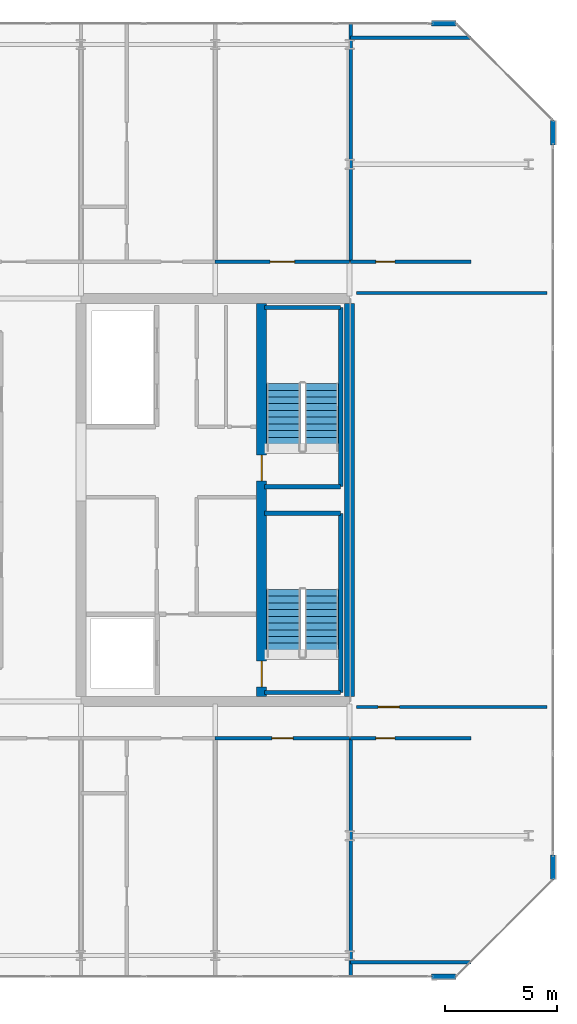
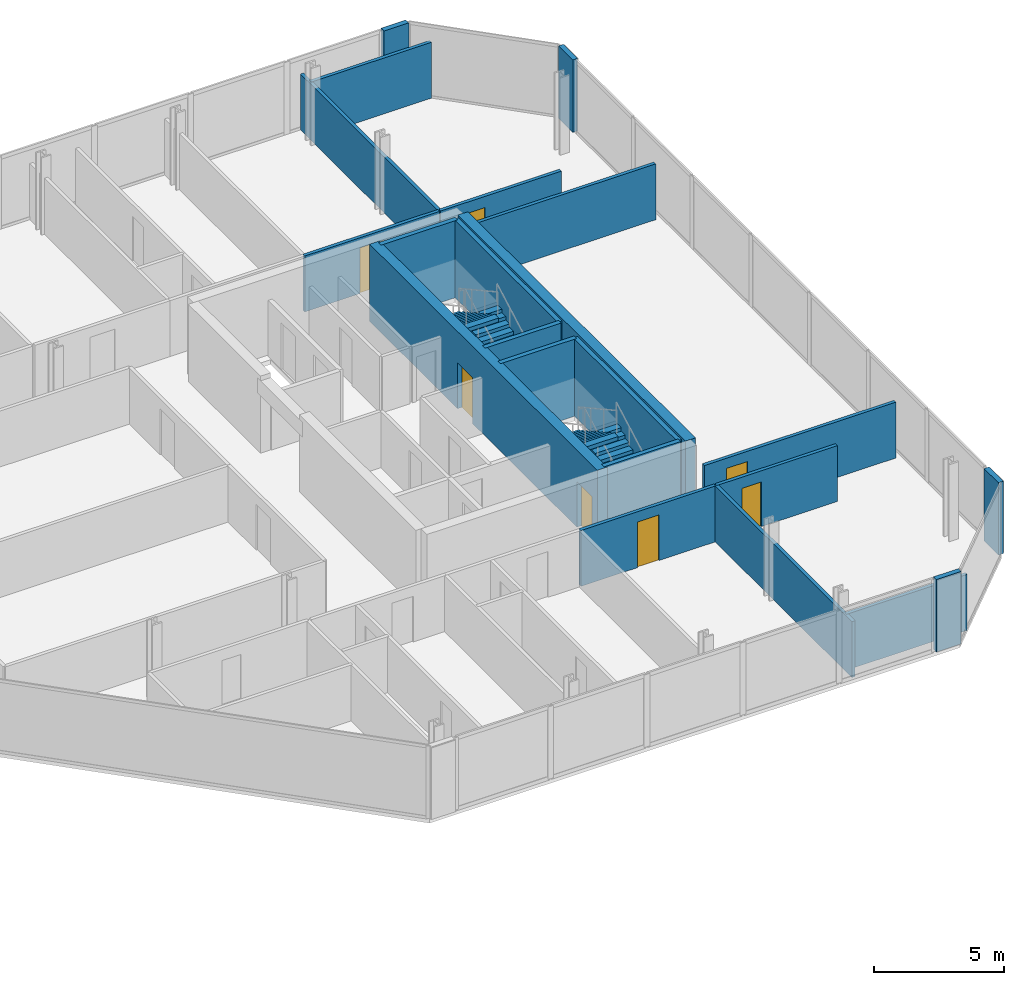
# One storey, part 17 of 19: 22 walls, 7 doors, 4 stair flights, 7 openings, 2 elements without a shape of their own.
"""IFC4 building model written with IfcOpenShell, lengths in metres."""

import ifcopenshell
import ifcopenshell.guid

model = None  # the IFC model being written
_history = None  # IfcOwnerHistory: only IFC2X3 demands one
_inside = {}  # id of a spatial element -> (the spatial element, [elements in it])
_under = {}  # id of a project, library or spatial element -> (it, [spatial elements below it])
_declared = {}  # id of a project -> (the project, [libraries it declares])
_typed = {}  # id of a type object -> (the type object, [elements of that type])
_made_of = {}  # id of a material, layer set ... -> (it, [elements and type objects made of it])


def new_model(schema):
    """Start an empty IFC model of exactly this schema.

    Asked for "IFC4X3", IfcOpenShell would pick the latest addendum, in which some entities
    have other attributes; the version numbers below select the first issue.
    IFC2X3 requires an IfcOwnerHistory on every rooted entity: one is made here for all.
    """
    global model, _history
    if schema == "IFC4X3":
        model = ifcopenshell.file(schema_version=(4, 3, 0, 0))
    else:
        model = ifcopenshell.file(schema=schema)
    _inside.clear()
    _under.clear()
    _declared.clear()
    _typed.clear()
    _made_of.clear()
    _history = None
    if model.schema == "IFC2X3":
        org = make("IfcOrganization", Name="unknown")
        user = make(
            "IfcPersonAndOrganization",
            ThePerson=make("IfcPerson", FamilyName="unknown"),
            TheOrganization=org,
        )
        app = make(
            "IfcApplication",
            ApplicationDeveloper=org,
            Version="unknown",
            ApplicationFullName="unknown",
            ApplicationIdentifier="unknown",
        )
        _history = make(
            "IfcOwnerHistory",
            OwningUser=user,
            OwningApplication=app,
            ChangeAction="ADDED",
            CreationDate=0,
        )
    return model


def make(cls, **values):
    """One entity of the class cls with the attributes given. An attribute that is None is left unset."""
    return model.create_entity(
        cls, **{name: value for name, value in values.items() if value is not None}
    )


def rooted(cls, **values):
    """An entity with a GlobalId (a new one), such as an element, a storey or a relation."""
    return make(cls, GlobalId=ifcopenshell.guid.new(), OwnerHistory=_history, **values)


def si_unit(unit_type, name, prefix=None):
    """IfcSIUnit, for example si_unit("LENGTHUNIT", "METRE", prefix="MILLI")."""
    return make("IfcSIUnit", UnitType=unit_type, Prefix=prefix, Name=name)


def assignment(units):
    """IfcUnitAssignment: the units of a project."""
    return None if units is None else make("IfcUnitAssignment", Units=units)


def point(xyz):
    """IfcCartesianPoint."""
    return None if xyz is None else make("IfcCartesianPoint", Coordinates=xyz)


def direction(xyz):
    """IfcDirection."""
    return None if xyz is None else make("IfcDirection", DirectionRatios=xyz)


def frame(location, z_axis=None, x_axis=None):
    """IfcAxis2Placement3D, a coordinate frame: its origin and axes. An axis left out is left unset."""
    return make(
        "IfcAxis2Placement3D",
        Location=point(location),
        Axis=direction(z_axis),
        RefDirection=direction(x_axis),
    )


def frame_2d(location, x_axis=None):
    """IfcAxis2Placement2D, a coordinate frame in the plane: its origin and x axis."""
    return make(
        "IfcAxis2Placement2D", Location=point(location), RefDirection=direction(x_axis)
    )


def origin():
    """The frame at (0, 0, 0) with its axes left unset."""
    return frame((0.0, 0.0, 0.0))


def place(relative_to, where):
    """IfcLocalPlacement: puts the frame where relative to a parent placement (None: the world)."""
    return make(
        "IfcLocalPlacement", PlacementRelTo=relative_to, RelativePlacement=where
    )


def context(
    kind, dimensions, precision=None, world=None, true_north=None, identifier=None
):
    """IfcGeometricRepresentationContext, for example the 3D "Model" context."""
    return make(
        "IfcGeometricRepresentationContext",
        ContextIdentifier=identifier,
        ContextType=kind,
        CoordinateSpaceDimension=dimensions,
        Precision=precision,
        WorldCoordinateSystem=world,
        TrueNorth=true_north,
    )


def subcontext(parent, identifier, kind, view, scale=None):
    """IfcGeometricRepresentationSubContext, for example "Body" below "Model"."""
    return make(
        "IfcGeometricRepresentationSubContext",
        ContextIdentifier=identifier,
        ContextType=kind,
        ParentContext=parent,
        TargetScale=scale,
        TargetView=view,
    )


def project(units=None, contexts=None):
    """IfcProject with its units and contexts."""
    return rooted(
        "IfcProject",
        Name="project",
        RepresentationContexts=contexts,
        UnitsInContext=assignment(units),
    )


def spatial(cls, under=None, at=None, **own):
    """A site, building, storey or space (cls), placed at a placement, below another one or the project."""
    s = rooted(cls, ObjectPlacement=at, **own)
    if under is not None:
        _under.setdefault(under.id(), (under, []))[1].append(s)
    return s


def polyline(points):
    """IfcPolyline through the points."""
    return make("IfcPolyline", Points=[point(p) for p in points])


def profile(cls, at=None, kind="AREA", **sizes):
    """A parametric profile (cls). Its sizes go by their IFC names, for example OverallWidth=200.0."""
    return make(cls, ProfileType=kind, Position=at, **sizes)


def rectangle(**sizes):
    """IfcRectangleProfileDef."""
    return profile("IfcRectangleProfileDef", **sizes)


def outline(outer, holes=None, kind="AREA"):
    """IfcArbitraryClosedProfileDef: a profile drawn as a closed curve; with holes, ...WithVoids."""
    if holes is None:
        return make("IfcArbitraryClosedProfileDef", ProfileType=kind, OuterCurve=outer)
    return make(
        "IfcArbitraryProfileDefWithVoids",
        ProfileType=kind,
        OuterCurve=outer,
        InnerCurves=holes,
    )


def extrude(swept, where, along, depth):
    """IfcExtrudedAreaSolid: the profile swept, set in the frame where, extruded along a direction by depth."""
    return make(
        "IfcExtrudedAreaSolid",
        SweptArea=swept,
        Position=where,
        ExtrudedDirection=direction(along),
        Depth=depth,
    )


def shape(context_of_items, identifier, shape_type, items):
    """IfcShapeRepresentation: the items that make up one representation, for example the "Body"."""
    return make(
        "IfcShapeRepresentation",
        ContextOfItems=context_of_items,
        RepresentationIdentifier=identifier,
        RepresentationType=shape_type,
        Items=items,
    )


def material(Name=None, Category=None):
    """IfcMaterial."""
    return make("IfcMaterial", Name=Name, Category=Category)


def layer(
    of_material, thickness, ventilated=None, Name=None, Category=None, Priority=None
):
    """IfcMaterialLayer: one layer of a wall or slab, of a material (None: an air gap)."""
    return make(
        "IfcMaterialLayer",
        Material=of_material,
        LayerThickness=thickness,
        IsVentilated=ventilated,
        Name=Name,
        Category=Category,
        Priority=Priority,
    )


def layer_set(layers, Name=None):
    """IfcMaterialLayerSet."""
    return make("IfcMaterialLayerSet", MaterialLayers=layers, LayerSetName=Name)


def made_of(thing, what):
    """Note that an element or type object is made of a material, layer set ...; save() writes the relation."""
    if what is not None:
        _made_of.setdefault(what.id(), (what, []))[1].append(thing)
    return thing


def type_object(cls, material=None, **own):
    """A type object (cls), such as IfcWallType, which elements share."""
    return made_of(rooted(cls, **own), material)


def element(
    cls,
    number,
    at=None,
    inside=None,
    cuts=None,
    type_object=None,
    material=None,
    context=None,
    identifier="Body",
    shape_type=None,
    held_by="IfcProductDefinitionShape",
    body=None,
    shapes=None,
    **own,
):
    """One element of the class cls, such as IfcWall. Its Tag is "e" and its number.

    at: its placement. inside: the storey or other place that contains it. cuts: it is an
    opening in that element (IfcRelVoidsElement). A single representation is given by context,
    identifier, shape_type and body (its items); several are given by shapes. held_by: the class
    of the entity that holds the representations. save() writes the other relations.
    """
    e = rooted(cls, Tag="e%d" % number, ObjectPlacement=at, **own)
    if body is not None:
        shapes = [shape(context, identifier, shape_type, body)]
    if shapes is not None:
        e.Representation = make(held_by, Representations=shapes)
    if inside is not None:
        _inside.setdefault(inside.id(), (inside, []))[1].append(e)
    if cuts is not None:
        rooted(
            "IfcRelVoidsElement", RelatingBuildingElement=cuts, RelatedOpeningElement=e
        )
    if type_object is not None:
        _typed.setdefault(type_object.id(), (type_object, []))[1].append(e)
    return made_of(e, material)


def fill(opening, filler):
    """IfcRelFillsElement: the door or window that sits in an opening."""
    return rooted(
        "IfcRelFillsElement",
        RelatingOpeningElement=opening,
        RelatedBuildingElement=filler,
    )


def aggregate(whole, parts):
    """IfcRelAggregates: a whole, such as a stair, and the parts it consists of."""
    return rooted("IfcRelAggregates", RelatingObject=whole, RelatedObjects=parts)


def save(model, path):
    """Write the relations noted so far, then the file.

    IfcRelAggregates (storeys below a building ...), IfcRelContainedInSpatialStructure (elements
    in a storey), IfcRelDefinesByType, IfcRelAssociatesMaterial and IfcRelDeclares: one each for
    every whole, place, type object, material and project.
    """
    for whole, parts in _under.values():
        aggregate(whole, parts)
    for where, things in _inside.values():
        rooted(
            "IfcRelContainedInSpatialStructure",
            RelatedElements=things,
            RelatingStructure=where,
        )
    for kind, things in _typed.values():
        rooted("IfcRelDefinesByType", RelatedObjects=things, RelatingType=kind)
    for what, things in _made_of.values():
        rooted("IfcRelAssociatesMaterial", RelatedObjects=things, RelatingMaterial=what)
    for by, libraries in _declared.values():
        rooted("IfcRelDeclares", RelatingContext=by, RelatedDefinitions=libraries)
    model.write(path)


model = new_model("IFC4")

# Units and contexts
model_context = context("Model", 3, precision=1e-05, world=origin(), true_north=direction((0.0, 1.0)))
body_context = subcontext(model_context, "Body", "Model", "MODEL_VIEW")
ifc_project = project(units=[si_unit("LENGTHUNIT", "METRE"), si_unit("AREAUNIT", "SQUARE_METRE"), si_unit("VOLUMEUNIT", "CUBIC_METRE"), si_unit("PLANEANGLEUNIT", "RADIAN"), si_unit("MASSUNIT", "GRAM", prefix="KILO")], contexts=[model_context])

# Site, building, storey
site_placement = place(None, origin())
site = spatial("IfcSite", under=ifc_project, at=site_placement, CompositionType="ELEMENT")
building_placement = place(site_placement, origin())
building = spatial("IfcBuilding", under=site, at=building_placement, Name="Tanjung Sevakor Pilgrim Tower", CompositionType="ELEMENT")
storey_placement = place(building_placement, frame((0.0, 0.0, 260.699951171875)))
storey = spatial("IfcBuildingStorey", under=building, at=storey_placement, Name="L73", CompositionType="ELEMENT", Elevation=260.699951171875)

# Wall
ifc_material_1 = material(Name="Concrete C60/75", Category="concrete")
ifc_layer_1 = layer(ifc_material_1, 0.449951171875)
ifc_layer_set_1 = layer_set([ifc_layer_1], Name="WALL-CW-450")
wall_type_1 = type_object("IfcWallType", Name="WALL-CW-450", PredefinedType="SHEAR", material=ifc_layer_set_1)
wall_1_placement = place(storey_placement, frame((90.0, 24.824951171875, 0.0), z_axis=(0.0, 0.0, 1.0), x_axis=(0.0, 1.0, 0.0)))
element("IfcWall", 1, at=wall_1_placement, inside=storey, type_object=wall_type_1, Name="L73 E Core Outer Shear Wall", PredefinedType="SHEAR", context=body_context, shape_type="SweptSolid", body=[
    extrude(rectangle(XDim=17.550048828125, YDim=0.449951171875, at=frame_2d((8.77490234375, 0.0))), origin(), (0.0, 0.0, 1.0), 3.630126953125),
])

# Wall, openings, doors
wall_2_placement = place(storey_placement, frame((86.074951171875, 24.824951171875, 0.0), z_axis=(0.0, 0.0, 1.0), x_axis=(0.0, 1.0, 0.0)))
wall_2 = element("IfcWall", 2, at=wall_2_placement, inside=storey, type_object=wall_type_1, Name="L73 E Core Stair Spine Wall", PredefinedType="SHEAR", context=body_context, shape_type="SweptSolid", body=[
    extrude(rectangle(XDim=17.550048828125, YDim=0.449951171875, at=frame_2d((8.77490234375, 0.0))), origin(), (0.0, 0.0, 1.0), 3.630126953125),
])
opening_1_placement = place(wall_2_placement, frame((0.425048828125, 0.0, 0.0)))
opening_1 = element("IfcOpeningElement", 3, at=opening_1_placement, cuts=wall_2, Name="Opening ID-ST1", PredefinedType="OPENING", context=body_context, shape_type="SweptSolid", body=[
    extrude(rectangle(XDim=1.14990234375, YDim=2.14990234375, at=frame_2d((0.574951171875, 1.074951171875))), frame((0.0, 0.23486328125, 0.0), z_axis=(0.0, -1.0, 0.0), x_axis=(1.0, 0.0, 0.0)), (0.0, 0.0, 1.0), 0.469970703125),
])
opening_2_placement = place(wall_2_placement, frame((9.625, 0.0, 0.0)))
opening_2 = element("IfcOpeningElement", 4, at=opening_2_placement, cuts=wall_2, Name="Opening ID-ST1", PredefinedType="OPENING", context=body_context, shape_type="SweptSolid", body=[
    extrude(rectangle(XDim=1.14990234375, YDim=2.14990234375, at=frame_2d((0.574951171875, 1.074951171875))), frame((0.0, 0.23486328125, 0.0), z_axis=(0.0, -1.0, 0.0), x_axis=(1.0, 0.0, 0.0)), (0.0, 0.0, 1.0), 0.469970703125),
])
ifc_material_2 = material(Name="Fire-Rated Steel S355J2", Category="steel")
door_type_1 = type_object("IfcDoorType", Name="DT-FIRE-1150", OperationType="NOTDEFINED", PredefinedType="DOOR", material=ifc_material_2)
door_1_placement = place(opening_1_placement, origin())
door_1 = element("IfcDoor", 5, at=door_1_placement, inside=storey, type_object=door_type_1, Name="L73 TS-E1 Stair Fire Door", OperationType="SINGLE_SWING_LEFT", OverallHeight=2.14990234375, OverallWidth=1.14990234375, PredefinedType="DOOR", context=body_context, shape_type="SweptSolid", body=[
    extrude(rectangle(XDim=1.14990234375, YDim=2.14990234375, at=frame_2d((0.574951171875, 1.074951171875))), frame((0.0, 0.02490234375, 0.0), z_axis=(0.0, -1.0, 0.0), x_axis=(1.0, 0.0, 0.0)), (0.0, 0.0, 1.0), 0.050048828125),
])
fill(opening_1, door_1)
door_2_placement = place(opening_2_placement, origin())
door_2 = element("IfcDoor", 6, at=door_2_placement, inside=storey, type_object=door_type_1, Name="L73 TS-E2 Stair Fire Door", OperationType="SINGLE_SWING_RIGHT", OverallHeight=2.14990234375, OverallWidth=1.14990234375, PredefinedType="DOOR", context=body_context, shape_type="SweptSolid", body=[
    extrude(rectangle(XDim=1.14990234375, YDim=2.14990234375, at=frame_2d((0.574951171875, 1.074951171875))), frame((0.0, 0.02490234375, 0.0), z_axis=(0.0, -1.0, 0.0), x_axis=(1.0, 0.0, 0.0)), (0.0, 0.0, 1.0), 0.050048828125),
])
fill(opening_2, door_2)

# Wall, opening, door
ifc_material_3 = material(Name="Concrete C40/50", Category="concrete")
ifc_layer_2 = layer(ifc_material_3, 0.14990234375)
ifc_layer_set_2 = layer_set([ifc_layer_2], Name="WT-COMP-150")
wall_type_2 = type_object("IfcWallType", Name="WT-COMP-150", PredefinedType="SOLIDWALL", material=ifc_layer_set_2)
wall_3_placement = place(storey_placement, frame((90.300048828125, 24.35009765625, 0.0), z_axis=(0.0, 0.0, 1.0), x_axis=(1.0, 0.0, 0.0)))
wall_3 = element("IfcWall", 7, at=wall_3_placement, inside=storey, type_object=wall_type_2, Name="L73 Partition IW-L73-021", PredefinedType="SOLIDWALL", context=body_context, shape_type="SweptSolid", body=[
    extrude(rectangle(XDim=8.52001953125, YDim=0.14990234375, at=frame_2d((4.260009765625, 0.0))), origin(), (0.0, 0.0, 1.0), 2.6298828125),
])
opening_3_placement = place(wall_3_placement, frame((0.97509765625, 0.0, 0.0)))
opening_3 = element("IfcOpeningElement", 8, at=opening_3_placement, cuts=wall_3, Name="Opening ID-RM1", PredefinedType="OPENING", context=body_context, shape_type="SweptSolid", body=[
    extrude(rectangle(XDim=0.949951171875, YDim=2.14990234375, at=frame_2d((0.47509765625, 1.074951171875))), frame((0.0, 0.0849609375, 0.0), z_axis=(0.0, -1.0, 0.0), x_axis=(1.0, 0.0, 0.0)), (0.0, 0.0, 1.0), 0.169921875),
])
ifc_material_4 = material(Name="Hardwood Timber", Category="wood")
door_type_2 = type_object("IfcDoorType", Name="DT-INT-950", OperationType="NOTDEFINED", PredefinedType="DOOR", material=ifc_material_4)
door_3_placement = place(opening_3_placement, origin())
door_3 = element("IfcDoor", 9, at=door_3_placement, inside=storey, type_object=door_type_2, Name="L73 East Crown Sanctuary Door", OperationType="SINGLE_SWING_LEFT", OverallHeight=2.14990234375, OverallWidth=0.949951171875, PredefinedType="DOOR", context=body_context, shape_type="SweptSolid", body=[
    extrude(rectangle(XDim=0.949951171875, YDim=2.14990234375, at=frame_2d((0.47509765625, 1.074951171875))), frame((0.0, 0.02490234375, 0.0), z_axis=(0.0, -1.0, 0.0), x_axis=(1.0, 0.0, 0.0)), (0.0, 0.0, 1.0), 0.050048828125),
])
fill(opening_3, door_3)

# Walls
wall_4_placement = place(storey_placement, frame((90.300048828125, 42.85009765625, 0.0), z_axis=(0.0, 0.0, 1.0), x_axis=(1.0, 0.0, 0.0)))
element("IfcWall", 10, at=wall_4_placement, inside=storey, type_object=wall_type_2, Name="L73 Partition IW-L73-022", PredefinedType="SOLIDWALL", context=body_context, shape_type="SweptSolid", body=[
    extrude(rectangle(XDim=8.52001953125, YDim=0.14990234375, at=frame_2d((4.260009765625, 0.0))), origin(), (0.0, 0.0, 1.0), 2.6298828125),
])
wall_5_placement = place(storey_placement, frame((90.050048828125, 12.949951171875, 0.0), z_axis=(0.0, 0.0, 1.0), x_axis=(1.0, 0.0, 0.0)))
element("IfcWall", 11, at=wall_5_placement, inside=storey, type_object=wall_type_2, Name="L73 Partition IW-L73-023", PredefinedType="SOLIDWALL", context=body_context, shape_type="SweptSolid", body=[
    extrude(rectangle(XDim=5.369873046875, YDim=0.14990234375, at=frame_2d((2.68505859375, 0.0))), origin(), (0.0, 0.0, 1.0), 2.6298828125),
])

# Wall, opening, door
wall_6_placement = place(storey_placement, frame((90.050048828125, 22.949951171875, 0.0), z_axis=(0.0, 0.0, 1.0), x_axis=(1.0, 0.0, 0.0)))
wall_6 = element("IfcWall", 12, at=wall_6_placement, inside=storey, type_object=wall_type_2, Name="L73 Partition IW-L73-024", PredefinedType="SOLIDWALL", context=body_context, shape_type="SweptSolid", body=[
    extrude(rectangle(XDim=5.369873046875, YDim=0.14990234375, at=frame_2d((2.68505859375, 0.0))), origin(), (0.0, 0.0, 1.0), 2.6298828125),
])
opening_4_placement = place(wall_6_placement, frame((1.125, 0.0, 0.0)))
opening_4 = element("IfcOpeningElement", 13, at=opening_4_placement, cuts=wall_6, Name="Opening ID-WC1", PredefinedType="OPENING", context=body_context, shape_type="SweptSolid", body=[
    extrude(rectangle(XDim=0.85009765625, YDim=2.10009765625, at=frame_2d((0.425048828125, 1.050048828125))), frame((0.0, 0.0849609375, 0.0), z_axis=(0.0, -1.0, 0.0), x_axis=(1.0, 0.0, 0.0)), (0.0, 0.0, 1.0), 0.169921875),
])
ifc_material_5 = material(Name="Moisture-Resistant Timber", Category="wood")
door_type_3 = type_object("IfcDoorType", Name="DT-INT-850", OperationType="NOTDEFINED", PredefinedType="DOOR", material=ifc_material_5)
door_4_placement = place(opening_4_placement, origin())
door_4 = element("IfcDoor", 14, at=door_4_placement, inside=storey, type_object=door_type_3, Name="L73 SE Crown Study Door", OperationType="SINGLE_SWING_RIGHT", OverallHeight=2.10009765625, OverallWidth=0.85009765625, PredefinedType="DOOR", context=body_context, shape_type="SweptSolid", body=[
    extrude(rectangle(XDim=0.85009765625, YDim=2.10009765625, at=frame_2d((0.425048828125, 1.050048828125))), frame((0.0, 0.02490234375, 0.0), z_axis=(0.0, -1.0, 0.0), x_axis=(1.0, 0.0, 0.0)), (0.0, 0.0, 1.0), 0.050048828125),
])
fill(opening_4, door_4)

# Wall
wall_7_placement = place(storey_placement, frame((90.050048828125, 12.340087890625, 0.0), z_axis=(0.0, 0.0, 1.0), x_axis=(0.0, 1.0, 0.0)))
element("IfcWall", 15, at=wall_7_placement, inside=storey, type_object=wall_type_2, Name="L73 Partition IW-L73-025", PredefinedType="SOLIDWALL", context=body_context, shape_type="SweptSolid", body=[
    extrude(rectangle(XDim=10.60986328125, YDim=0.14990234375, at=frame_2d((5.304931640625, 0.0))), origin(), (0.0, 0.0, 1.0), 2.6298828125),
])

# Wall, opening, door
wall_8_placement = place(storey_placement, frame((90.050048828125, 44.25, 0.0), z_axis=(0.0, 0.0, 1.0), x_axis=(1.0, 0.0, 0.0)))
wall_8 = element("IfcWall", 16, at=wall_8_placement, inside=storey, type_object=wall_type_2, Name="L73 Partition IW-L73-026", PredefinedType="SOLIDWALL", context=body_context, shape_type="SweptSolid", body=[
    extrude(rectangle(XDim=5.369873046875, YDim=0.14990234375, at=frame_2d((2.68505859375, 0.0))), origin(), (0.0, 0.0, 1.0), 2.6298828125),
])
opening_5_placement = place(wall_8_placement, frame((1.125, 0.0, 0.0)))
opening_5 = element("IfcOpeningElement", 17, at=opening_5_placement, cuts=wall_8, Name="Opening ID-WC1", PredefinedType="OPENING", context=body_context, shape_type="SweptSolid", body=[
    extrude(rectangle(XDim=0.85009765625, YDim=2.10009765625, at=frame_2d((0.425048828125, 1.050048828125))), frame((0.0, 0.0849609375, 0.0), z_axis=(0.0, -1.0, 0.0), x_axis=(1.0, 0.0, 0.0)), (0.0, 0.0, 1.0), 0.169921875),
])
door_5_placement = place(opening_5_placement, origin())
door_5 = element("IfcDoor", 18, at=door_5_placement, inside=storey, type_object=door_type_3, Name="L73 NE Crown Lounge Door", OperationType="SINGLE_SWING_LEFT", OverallHeight=2.10009765625, OverallWidth=0.85009765625, PredefinedType="DOOR", context=body_context, shape_type="SweptSolid", body=[
    extrude(rectangle(XDim=0.85009765625, YDim=2.10009765625, at=frame_2d((0.425048828125, 1.050048828125))), frame((0.0, 0.02490234375, 0.0), z_axis=(0.0, -1.0, 0.0), x_axis=(1.0, 0.0, 0.0)), (0.0, 0.0, 1.0), 0.050048828125),
])
fill(opening_5, door_5)

# Walls
wall_9_placement = place(storey_placement, frame((90.050048828125, 54.25, 0.0), z_axis=(0.0, 0.0, 1.0), x_axis=(1.0, 0.0, 0.0)))
element("IfcWall", 19, at=wall_9_placement, inside=storey, type_object=wall_type_2, Name="L73 Partition IW-L73-027", PredefinedType="SOLIDWALL", context=body_context, shape_type="SweptSolid", body=[
    extrude(rectangle(XDim=5.369873046875, YDim=0.14990234375, at=frame_2d((2.68505859375, 0.0))), origin(), (0.0, 0.0, 1.0), 2.6298828125),
])
wall_10_placement = place(storey_placement, frame((90.050048828125, 44.25, 0.0), z_axis=(0.0, 0.0, 1.0), x_axis=(0.0, 1.0, 0.0)))
element("IfcWall", 20, at=wall_10_placement, inside=storey, type_object=wall_type_2, Name="L73 Partition IW-L73-028", PredefinedType="SOLIDWALL", context=body_context, shape_type="SweptSolid", body=[
    extrude(rectangle(XDim=10.610107421875, YDim=0.14990234375, at=frame_2d((5.30517578125, 0.0))), origin(), (0.0, 0.0, 1.0), 2.6298828125),
])

# Wall, opening, door
wall_11_placement = place(storey_placement, frame((84.0, 22.949951171875, 0.0), z_axis=(0.0, 0.0, 1.0), x_axis=(1.0, 0.0, 0.0)))
wall_11 = element("IfcWall", 21, at=wall_11_placement, inside=storey, type_object=wall_type_2, Name="L73 Partition IW-L73-037", PredefinedType="SOLIDWALL", context=body_context, shape_type="SweptSolid", body=[
    extrude(rectangle(XDim=6.0, YDim=0.14990234375, at=frame_2d((3.0, 0.0))), origin(), (0.0, 0.0, 1.0), 2.6298828125),
])
opening_6_placement = place(wall_11_placement, frame((2.52490234375, 0.0, 0.0)))
opening_6 = element("IfcOpeningElement", 22, at=opening_6_placement, cuts=wall_11, Name="Opening ID-FD2", PredefinedType="OPENING", context=body_context, shape_type="SweptSolid", body=[
    extrude(rectangle(XDim=0.949951171875, YDim=2.14990234375, at=frame_2d((0.47509765625, 1.074951171875))), frame((0.0, 0.0849609375, 0.0), z_axis=(0.0, -1.0, 0.0), x_axis=(1.0, 0.0, 0.0)), (0.0, 0.0, 1.0), 0.169921875),
])
ifc_material_6 = material(Name="Fire-Rated Timber", Category="wood")
door_type_4 = type_object("IfcDoorType", Name="DT-FIRE-950", OperationType="NOTDEFINED", PredefinedType="DOOR", material=ifc_material_6)
door_6_placement = place(opening_6_placement, origin())
door_6 = element("IfcDoor", 23, at=door_6_placement, inside=storey, type_object=door_type_4, Name="Housekeeping Pantry Door", OperationType="SINGLE_SWING_RIGHT", OverallHeight=2.14990234375, OverallWidth=0.949951171875, PredefinedType="DOOR", context=body_context, shape_type="SweptSolid", body=[
    extrude(rectangle(XDim=0.949951171875, YDim=2.14990234375, at=frame_2d((0.47509765625, 1.074951171875))), frame((0.0, 0.02490234375, 0.0), z_axis=(0.0, -1.0, 0.0), x_axis=(1.0, 0.0, 0.0)), (0.0, 0.0, 1.0), 0.050048828125),
])
fill(opening_6, door_6)

wall_12_placement = place(storey_placement, frame((84.0, 44.25, 0.0), z_axis=(0.0, 0.0, 1.0), x_axis=(1.0, 0.0, 0.0)))
wall_12 = element("IfcWall", 24, at=wall_12_placement, inside=storey, type_object=wall_type_2, Name="L73 Partition IW-L73-044", PredefinedType="SOLIDWALL", context=body_context, shape_type="SweptSolid", body=[
    extrude(rectangle(XDim=6.0, YDim=0.14990234375, at=frame_2d((3.0, 0.0))), origin(), (0.0, 0.0, 1.0), 2.6298828125),
])
opening_7_placement = place(wall_12_placement, frame((2.449951171875, 0.0, 0.0)))
opening_7 = element("IfcOpeningElement", 25, at=opening_7_placement, cuts=wall_12, Name="Opening ID-FD0", PredefinedType="OPENING", context=body_context, shape_type="SweptSolid", body=[
    extrude(rectangle(XDim=1.10009765625, YDim=2.14990234375, at=frame_2d((0.550048828125, 1.074951171875))), frame((0.0, 0.0849609375, 0.0), z_axis=(0.0, -1.0, 0.0), x_axis=(1.0, 0.0, 0.0)), (0.0, 0.0, 1.0), 0.169921875),
])
ifc_material_7 = material(Name="Fire-Rated Steel S355J2", Category="steel")
door_type_5 = type_object("IfcDoorType", Name="DT-FIRE-1100", OperationType="NOTDEFINED", PredefinedType="DOOR", material=ifc_material_7)
door_7_placement = place(opening_7_placement, origin())
door_7 = element("IfcDoor", 26, at=door_7_placement, inside=storey, type_object=door_type_5, Name="Seminar Room Door", OperationType="SINGLE_SWING_LEFT", OverallHeight=2.14990234375, OverallWidth=1.10009765625, PredefinedType="DOOR", context=body_context, shape_type="SweptSolid", body=[
    extrude(rectangle(XDim=1.10009765625, YDim=2.14990234375, at=frame_2d((0.550048828125, 1.074951171875))), frame((0.0, 0.02490234375, 0.0), z_axis=(0.0, -1.0, 0.0), x_axis=(1.0, 0.0, 0.0)), (0.0, 0.0, 1.0), 0.050048828125),
])
fill(opening_7, door_7)

# Walls
ifc_material_8 = material(Name="Precast concrete C45/55", Category="concrete")
ifc_layer_3 = layer(ifc_material_8, 0.219970703125)
ifc_layer_set_3 = layer_set([ifc_layer_3], Name="WT-EW-STN4")
wall_type_3 = type_object("IfcWallType", Name="WT-EW-STN4", PredefinedType="SOLIDWALL", material=ifc_layer_set_3)
for number, where, z_axis, x_axis, name in (
    (27, (93.654296875, 12.31005859375, 0.0), (0.0, 0.0, 1.0), (1.0, 0.0, 0.0), "L73 EAST Crown Pier 0-1B"),
    (28, (99.090087890625, 16.6455078125, 0.0), (0.0, 0.0, 1.0), (0.0, 1.0, 0.0), "L73 EAST Crown Pier 2-1A"),
    (29, (99.090087890625, 49.454345703125, 0.0), (0.0, 0.0, 1.0), (0.0, 1.0, 0.0), "L73 EAST Crown Pier 2-1B"),
    (30, (94.75439453125, 54.889892578125, 0.0), (0.0, 0.0, 1.0), (-1.0, 0.0, 0.0), "L73 EAST Crown Pier 4-1A"),
):
    element("IfcWall", number, at=place(storey_placement, frame(where, z_axis=z_axis, x_axis=x_axis)), inside=storey, type_object=wall_type_3, Name=name, PredefinedType="SOLIDWALL", context=body_context, shape_type="SweptSolid", body=[
        extrude(rectangle(XDim=1.10009765625, YDim=0.219970703125, at=frame_2d((0.550048828125, 0.0))), origin(), (0.0, 0.0, 1.0), 3.409912109375),
    ])
ifc_material_9 = material(Name="Concrete C40/50", Category="concrete")
ifc_layer_4 = layer(ifc_material_9, 0.199951171875)
ifc_layer_set_4 = layer_set([ifc_layer_4], Name="WT-FIRE-200")
wall_type_4 = type_object("IfcWallType", Name="WT-FIRE-200", PredefinedType="SOLIDWALL", material=ifc_layer_set_4)
wall_13_placement = place(storey_placement, frame((86.199951171875, 25.0, 0.0), z_axis=(0.0, 0.0, 1.0), x_axis=(1.0, 0.0, 0.0)))
element("IfcWall", 31, at=wall_13_placement, inside=storey, type_object=wall_type_4, Name="L73 TS-E1 Shaft Wall 1", PredefinedType="SOLIDWALL", context=body_context, shape_type="SweptSolid", body=[
    extrude(rectangle(XDim=3.400146484375, YDim=0.199951171875, at=frame_2d((1.7001953125, 0.0))), origin(), (0.0, 0.0, 1.0), 3.630126953125),
])
wall_14_placement = place(storey_placement, frame((89.60009765625, 25.0, 0.0), z_axis=(0.0, 0.0, 1.0), x_axis=(0.0, 1.0, 0.0)))
element("IfcWall", 32, at=wall_14_placement, inside=storey, type_object=wall_type_4, Name="L73 TS-E1 Shaft Wall 2", PredefinedType="SOLIDWALL", context=body_context, shape_type="SweptSolid", body=[
    extrude(rectangle(XDim=8.0, YDim=0.199951171875, at=frame_2d((4.0, 0.0))), origin(), (0.0, 0.0, 1.0), 3.630126953125),
])
for number, where, z_axis, x_axis, name in (
    (33, (89.60009765625, 33.0, 0.0), (0.0, 0.0, 1.0), (-1.0, 0.0, 0.0), "L73 TS-E1 Shaft Wall 3"),
    (34, (86.199951171875, 34.199951171875, 0.0), (0.0, 0.0, 1.0), (1.0, 0.0, 0.0), "L73 TS-E2 Shaft Wall 1"),
):
    element("IfcWall", number, at=place(storey_placement, frame(where, z_axis=z_axis, x_axis=x_axis)), inside=storey, type_object=wall_type_4, Name=name, PredefinedType="SOLIDWALL", context=body_context, shape_type="SweptSolid", body=[
        extrude(rectangle(XDim=3.400146484375, YDim=0.199951171875, at=frame_2d((1.7001953125, 0.0))), origin(), (0.0, 0.0, 1.0), 3.630126953125),
    ])
wall_15_placement = place(storey_placement, frame((89.60009765625, 34.199951171875, 0.0), z_axis=(0.0, 0.0, 1.0), x_axis=(0.0, 1.0, 0.0)))
element("IfcWall", 35, at=wall_15_placement, inside=storey, type_object=wall_type_4, Name="L73 TS-E2 Shaft Wall 2", PredefinedType="SOLIDWALL", context=body_context, shape_type="SweptSolid", body=[
    extrude(rectangle(XDim=8.0, YDim=0.199951171875, at=frame_2d((4.0, 0.0))), origin(), (0.0, 0.0, 1.0), 3.630126953125),
])
wall_16_placement = place(storey_placement, frame((89.60009765625, 42.199951171875, 0.0), z_axis=(0.0, 0.0, 1.0), x_axis=(-1.0, 0.0, 0.0)))
element("IfcWall", 36, at=wall_16_placement, inside=storey, type_object=wall_type_4, Name="L73 TS-E2 Shaft Wall 3", PredefinedType="SOLIDWALL", context=body_context, shape_type="SweptSolid", body=[
    extrude(rectangle(XDim=3.400146484375, YDim=0.199951171875, at=frame_2d((1.7001953125, 0.0))), origin(), (0.0, 0.0, 1.0), 3.630126953125),
])

# Stair, stair flights
ifc_material_10 = material(Name="Concrete C40/50", Category="concrete")
stair_type = type_object("IfcStairType", Name="STAIR-ST-CR150", PredefinedType="HALF_TURN_STAIR", material=ifc_material_10)
stair_1_placement = place(storey_placement, origin())
stair_1 = element("IfcStair", 37, at=stair_1_placement, inside=storey, type_object=stair_type, Name="L73 East Core Exit Stair 1", PredefinedType="HALF_TURN_STAIR")
ifc_material_11 = material(Name="Concrete C40/50", Category="concrete")
stair_flight_type = type_object("IfcStairFlightType", Name="FLIGHT-ST-CR150", PredefinedType="STRAIGHT", material=ifc_material_11)
stair_flight_1_placement = place(storey_placement, frame((88.75, 26.60009765625, 0.0), z_axis=(0.0, 0.0, 1.0), x_axis=(0.0, 1.0, 0.0)))
stair_flight_1 = element("IfcStairFlight", 38, at=stair_flight_1_placement, type_object=stair_flight_type, Name="TS-E1 flight 1", NumberOfRisers=11, NumberOfTreads=10, PredefinedType="STRAIGHT", RiserHeight=0.165, TreadLength=0.3, context=body_context, shape_type="SweptSolid", body=[
    extrude(outline(polyline([(0.0, 0.0), (0.0, 0.1650390625), (0.300048828125, 0.1650390625), (0.300048828125, 0.330078125), (0.60009765625, 0.330078125), (0.60009765625, 0.4951171875), (0.89990234375, 0.4951171875), (0.89990234375, 0.659912109375), (1.199951171875, 0.659912109375), (1.199951171875, 0.824951171875), (1.5, 0.824951171875), (1.5, 0.989990234375), (1.800048828125, 0.989990234375), (1.800048828125, 1.155029296875), (2.10009765625, 1.155029296875), (2.10009765625, 1.320068359375), (2.39990234375, 1.320068359375), (2.39990234375, 1.485107421875), (2.699951171875, 1.485107421875), (2.699951171875, 1.64990234375), (3.0, 1.64990234375), (3.0, 1.81494140625), (3.0, 1.467529296875), (0.331787109375, 0.0), (0.0, 0.0)])), frame((0.0, 0.75, 0.0), z_axis=(0.0, -1.0, 0.0), x_axis=(1.0, 0.0, 0.0)), (0.0, 0.0, 1.0), 1.5),
])
stair_flight_2_placement = place(storey_placement, frame((87.050048828125, 29.60009765625, 1.81494140625), z_axis=(0.0, 0.0, 1.0), x_axis=(0.0, -1.0, 0.0)))
stair_flight_2 = element("IfcStairFlight", 39, at=stair_flight_2_placement, type_object=stair_flight_type, Name="TS-E1 flight 2", NumberOfRisers=11, NumberOfTreads=10, PredefinedType="STRAIGHT", RiserHeight=0.165, TreadLength=0.3, context=body_context, shape_type="SweptSolid", body=[
    extrude(outline(polyline([(0.0, 0.0), (0.0, 0.1650390625), (0.300048828125, 0.1650390625), (0.300048828125, 0.330078125), (0.60009765625, 0.330078125), (0.60009765625, 0.4951171875), (0.89990234375, 0.4951171875), (0.89990234375, 0.659912109375), (1.199951171875, 0.659912109375), (1.199951171875, 0.824951171875), (1.5, 0.824951171875), (1.5, 0.989990234375), (1.800048828125, 0.989990234375), (1.800048828125, 1.155029296875), (2.10009765625, 1.155029296875), (2.10009765625, 1.320068359375), (2.39990234375, 1.320068359375), (2.39990234375, 1.485107421875), (2.699951171875, 1.485107421875), (2.699951171875, 1.64990234375), (3.0, 1.64990234375), (3.0, 1.81494140625), (3.0, 1.467529296875), (0.331787109375, 0.0), (0.0, 0.0)])), frame((0.0, 0.75, 0.0), z_axis=(0.0, -1.0, 0.0), x_axis=(1.0, 0.0, 0.0)), (0.0, 0.0, 1.0), 1.5),
])
aggregate(stair_1, [stair_flight_1, stair_flight_2])

stair_2_placement = place(storey_placement, origin())
stair_2 = element("IfcStair", 40, at=stair_2_placement, inside=storey, type_object=stair_type, Name="L73 East Core Exit Stair 2", PredefinedType="HALF_TURN_STAIR")
stair_flight_3_placement = place(storey_placement, frame((88.75, 35.800048828125, 0.0), z_axis=(0.0, 0.0, 1.0), x_axis=(0.0, 1.0, 0.0)))
stair_flight_3 = element("IfcStairFlight", 41, at=stair_flight_3_placement, type_object=stair_flight_type, Name="TS-E2 flight 1", NumberOfRisers=11, NumberOfTreads=10, PredefinedType="STRAIGHT", RiserHeight=0.165, TreadLength=0.3, context=body_context, shape_type="SweptSolid", body=[
    extrude(outline(polyline([(0.0, 0.0), (0.0, 0.1650390625), (0.300048828125, 0.1650390625), (0.300048828125, 0.330078125), (0.60009765625, 0.330078125), (0.60009765625, 0.4951171875), (0.89990234375, 0.4951171875), (0.89990234375, 0.659912109375), (1.199951171875, 0.659912109375), (1.199951171875, 0.824951171875), (1.5, 0.824951171875), (1.5, 0.989990234375), (1.800048828125, 0.989990234375), (1.800048828125, 1.155029296875), (2.10009765625, 1.155029296875), (2.10009765625, 1.320068359375), (2.39990234375, 1.320068359375), (2.39990234375, 1.485107421875), (2.699951171875, 1.485107421875), (2.699951171875, 1.64990234375), (3.0, 1.64990234375), (3.0, 1.81494140625), (3.0, 1.467529296875), (0.331787109375, 0.0), (0.0, 0.0)])), frame((0.0, 0.75, 0.0), z_axis=(0.0, -1.0, 0.0), x_axis=(1.0, 0.0, 0.0)), (0.0, 0.0, 1.0), 1.5),
])
stair_flight_4_placement = place(storey_placement, frame((87.050048828125, 38.800048828125, 1.81494140625), z_axis=(0.0, 0.0, 1.0), x_axis=(0.0, -1.0, 0.0)))
stair_flight_4 = element("IfcStairFlight", 42, at=stair_flight_4_placement, type_object=stair_flight_type, Name="TS-E2 flight 2", NumberOfRisers=11, NumberOfTreads=10, PredefinedType="STRAIGHT", RiserHeight=0.165, TreadLength=0.3, context=body_context, shape_type="SweptSolid", body=[
    extrude(outline(polyline([(0.0, 0.0), (0.0, 0.1650390625), (0.300048828125, 0.1650390625), (0.300048828125, 0.330078125), (0.60009765625, 0.330078125), (0.60009765625, 0.4951171875), (0.89990234375, 0.4951171875), (0.89990234375, 0.659912109375), (1.199951171875, 0.659912109375), (1.199951171875, 0.824951171875), (1.5, 0.824951171875), (1.5, 0.989990234375), (1.800048828125, 0.989990234375), (1.800048828125, 1.155029296875), (2.10009765625, 1.155029296875), (2.10009765625, 1.320068359375), (2.39990234375, 1.320068359375), (2.39990234375, 1.485107421875), (2.699951171875, 1.485107421875), (2.699951171875, 1.64990234375), (3.0, 1.64990234375), (3.0, 1.81494140625), (3.0, 1.467529296875), (0.331787109375, 0.0), (0.0, 0.0)])), frame((0.0, 0.75, 0.0), z_axis=(0.0, -1.0, 0.0), x_axis=(1.0, 0.0, 0.0)), (0.0, 0.0, 1.0), 1.5),
])
aggregate(stair_2, [stair_flight_3, stair_flight_4])

save(model, "model.ifc")
